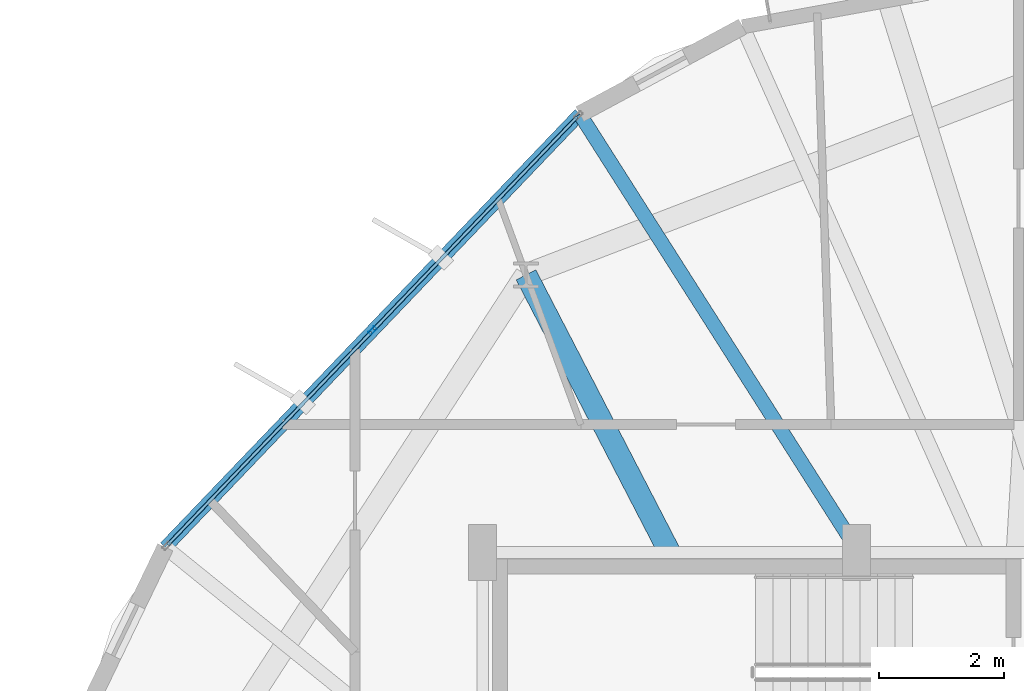
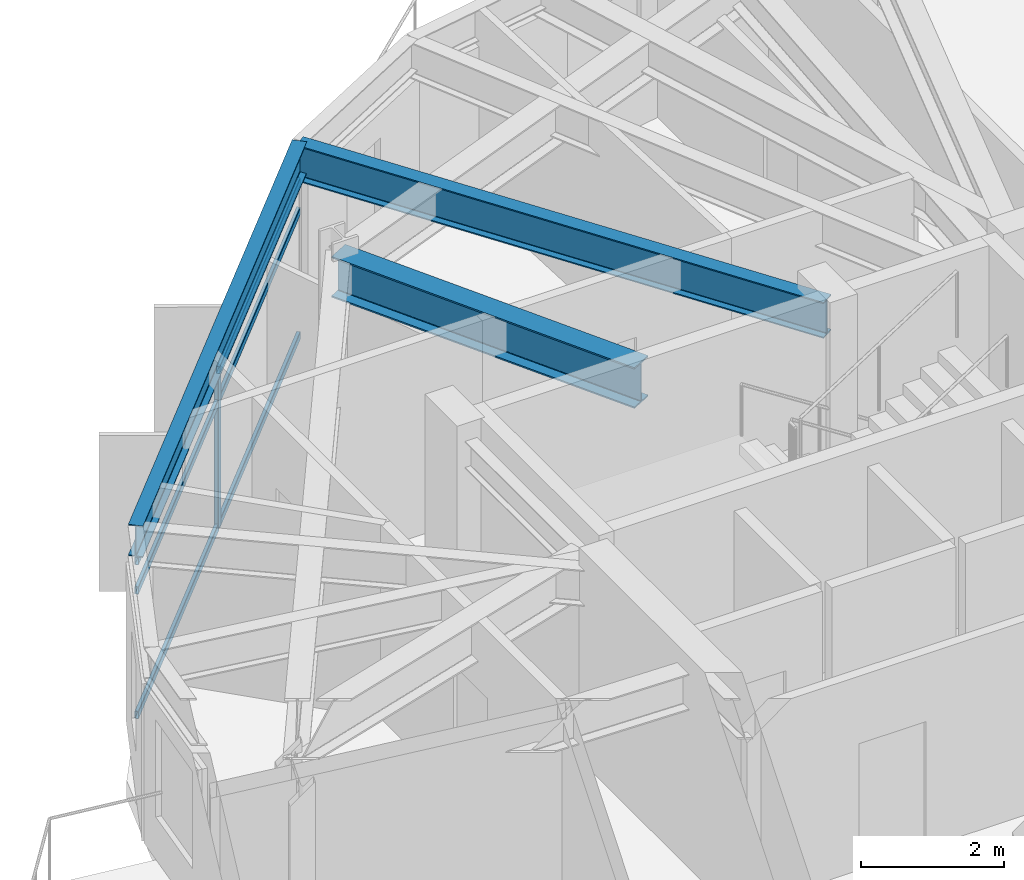
# One storey, part 16 of 27: 7 members, 3 beams, 1 element without a shape of its own.
"""IFC4 building model written with IfcOpenShell, lengths in metres."""

from ifc_helpers import new_model, si_unit, direction, frame, origin, origin_2d, place, context, subcontext, project, spatial, hollow_rectangle, i_section, extrude, material, layer, layer_set, material_profile, profile_set, type_object, element, aggregate, save


model = new_model("IFC4")

# Units and contexts
model_context = context("Model", 3, precision=1e-05, world=origin(), true_north=direction((0.0, 1.0)))
body_context = subcontext(model_context, "Body", "Model", "MODEL_VIEW")
ifc_project = project(units=[si_unit("LENGTHUNIT", "METRE"), si_unit("AREAUNIT", "SQUARE_METRE"), si_unit("VOLUMEUNIT", "CUBIC_METRE"), si_unit("PLANEANGLEUNIT", "RADIAN"), si_unit("MASSUNIT", "GRAM", prefix="KILO")], contexts=[model_context])

# Site, building, storey
site_placement = place(None, origin())
site = spatial("IfcSite", under=ifc_project, at=site_placement, CompositionType="ELEMENT")
building_placement = place(site_placement, origin())
building = spatial("IfcBuilding", under=site, at=building_placement, Name="Soratama Intermodal Tower", CompositionType="ELEMENT")
storey_placement = place(building_placement, frame((0.0, 0.0, 208.60009765625)))
storey = spatial("IfcBuildingStorey", under=building, at=storey_placement, Name="L52", CompositionType="ELEMENT", Elevation=208.60009765625)

# Beams
ifc_material_1 = material(Name="Structural steel ASTM A992 Grade 50", Category="steel")
ifc_material_profile_1 = material_profile(ifc_material_1, i_section(OverallWidth=0.35498046875, OverallDepth=0.695068359375, WebThickness=0.015380859375, FlangeThickness=0.02490234375, FilletRadius=0.01611328125, at=origin_2d()), Name="W27X146")
ifc_profile_set_1 = profile_set([ifc_material_profile_1], Name="Structural steel ASTM A992 Grade 50")
beam_type_1 = type_object("IfcBeamType", Name="BM-RING-W27X146", PredefinedType="BEAM", material=ifc_profile_set_1)
beam_1_placement = place(storey_placement, frame((35.60009765625, 35.0, 2.952392578125), z_axis=(-0.459552673174, 0.888150516849, 0.0), x_axis=(-0.888150516849, -0.459552673174, 0.0)))
element("IfcBeam", 1, at=beam_1_placement, inside=storey, type_object=beam_type_1, Name="BM-L52-RAD-04", PredefinedType="BEAM", context=body_context, shape_type="SweptSolid", body=[
    extrude(i_section(OverallWidth=0.35498046875, OverallDepth=0.695068359375, WebThickness=0.015380859375, FlangeThickness=0.02490234375, FilletRadius=0.01611328125, at=origin_2d()), origin(), (0.0, 0.0, 1.0), 5.01611328125),
])
ifc_material_2 = material(Name="Structural steel ASTM A992 Grade 50", Category="steel")
ifc_material_profile_2 = material_profile(ifc_material_2, i_section(OverallWidth=0.2099609375, OverallDepth=0.537109375, WebThickness=0.010986328125, FlangeThickness=0.017333984375, FilletRadius=0.012939453125, at=origin_2d()), Name="W21X68")
ifc_profile_set_2 = profile_set([ifc_material_profile_2], Name="Structural steel ASTM A992 Grade 50")
beam_type_2 = type_object("IfcBeamType", Name="BM-SPN-W21X68", PredefinedType="SPANDREL", material=ifc_profile_set_2)
beam_2_placement = place(storey_placement, frame((34.158935546875, 42.034912109375, 3.031494140625), z_axis=(-0.691360282894, -0.722510179331, 0.0), x_axis=(0.722510179331, -0.691360282894, 0.0)))
element("IfcBeam", 2, at=beam_2_placement, inside=storey, type_object=beam_type_2, Name="BS-L52-F03", PredefinedType="SPANDREL", context=body_context, shape_type="SweptSolid", body=[
    extrude(i_section(OverallWidth=0.2099609375, OverallDepth=0.537109375, WebThickness=0.010986328125, FlangeThickness=0.017333984375, FilletRadius=0.012939453125, at=origin_2d()), origin(), (0.0, 0.0, 1.0), 9.62451171875),
])
ifc_material_3 = material(Name="Structural steel ASTM A992 Grade 50", Category="steel")
ifc_material_profile_3 = material_profile(ifc_material_3, i_section(OverallWidth=0.22900390625, OverallDepth=0.612060546875, WebThickness=0.011962890625, FlangeThickness=0.01953125, FilletRadius=0.012939453125, at=origin_2d()), Name="W24X84")
ifc_profile_set_3 = profile_set([ifc_material_profile_3], Name="Structural steel ASTM A992 Grade 50")
beam_type_3 = type_object("IfcBeamType", Name="BM-TIE-W24X84", PredefinedType="BEAM", material=ifc_profile_set_3)
beam_3_placement = place(storey_placement, frame((38.614990234375, 35.033935546875, 2.993896484375), z_axis=(-0.53695163274, 0.843613029829, 0.0), x_axis=(-0.843613029829, -0.53695163274, 0.0)))
element("IfcBeam", 3, at=beam_3_placement, inside=storey, type_object=beam_type_3, Name="BM-L52-TIE0-03", PredefinedType="BEAM", context=body_context, shape_type="SweptSolid", body=[
    extrude(i_section(OverallWidth=0.22900390625, OverallDepth=0.612060546875, WebThickness=0.011962890625, FlangeThickness=0.01953125, FilletRadius=0.012939453125, at=origin_2d()), origin(), (0.0, 0.0, 1.0), 8.298828125),
])

# Curtain wall, members
ifc_material_4 = material(Name="Double-glazed aluminium curtain wall", Category="aluminium")
ifc_layer = layer(ifc_material_4, 0.159912109375)
ifc_layer_set = layer_set([ifc_layer], Name="Double-glazed aluminium curtain wall")
curtain_wall_type = type_object("IfcCurtainWallType", Name="CW-SYS-5", PredefinedType="NOTDEFINED", material=ifc_layer_set)
curtain_wall_placement = place(storey_placement, origin())
curtain_wall = element("IfcCurtainWall", 4, at=curtain_wall_placement, inside=storey, type_object=curtain_wall_type, Name="L52 Faceted Curtain Wall F03", PredefinedType="NOTDEFINED")
ifc_material_5 = material(Name="Anodised aluminium AA 6063-T6", Category="aluminium")
ifc_material_profile_4 = material_profile(ifc_material_5, hollow_rectangle(XDim=0.06494140625, YDim=0.139892578125, WallThickness=0.0048828125, InnerFilletRadius=0.0048828125, OuterFilletRadius=0.010009765625, at=origin_2d()), Name="CWM140X65X5")
ifc_profile_set_4 = profile_set([ifc_material_profile_4], Name="Anodised aluminium AA 6063-T6")
member_type_1 = type_object("IfcMemberType", Name="MT-CWM-5", PredefinedType="MULLION", material=ifc_profile_set_4)
member_1_placement = place(storey_placement, frame((30.83203125, 38.55810546875, 0.0), z_axis=(0.0, 0.0, 1.0), x_axis=(0.72248523177, -0.691386353549, 0.0)))
member_1 = element("IfcMember", 5, at=member_1_placement, type_object=member_type_1, Name="CW-5 mullion 2", PredefinedType="MULLION", context=body_context, shape_type="SweptSolid", body=[
    extrude(hollow_rectangle(XDim=0.06494140625, YDim=0.139892578125, WallThickness=0.0048828125, InnerFilletRadius=0.0048828125, OuterFilletRadius=0.010009765625, at=origin_2d()), origin(), (0.0, 0.0, 1.0), 2.678955078125),
])
ifc_material_6 = material(Name="Anodised aluminium AA 6063-T6", Category="aluminium")
ifc_material_profile_5 = material_profile(ifc_material_6, hollow_rectangle(XDim=0.06005859375, YDim=0.1298828125, WallThickness=0.0048828125, InnerFilletRadius=0.0048828125, OuterFilletRadius=0.010009765625, at=origin_2d()), Name="CWT130X60X5")
ifc_profile_set_5 = profile_set([ifc_material_profile_5], Name="Anodised aluminium AA 6063-T6")
member_type_2 = type_object("IfcMemberType", Name="TT-CWT-2", PredefinedType="USERDEFINED", material=ifc_profile_set_5)
member_2_placement = place(storey_placement, frame((34.11767578125, 41.991455078125, 0.02978515625), z_axis=(-0.691399879071, -0.722472288203, 0.0), x_axis=(0.722472288203, -0.691399879071, 0.0)))
member_2 = element("IfcMember", 6, at=member_2_placement, type_object=member_type_2, Name="CW-5 transom 1.1", ObjectType="TRANSOM", PredefinedType="USERDEFINED", context=body_context, shape_type="SweptSolid", body=[
    extrude(hollow_rectangle(XDim=0.06005859375, YDim=0.1298828125, WallThickness=0.0048828125, InnerFilletRadius=0.0048828125, OuterFilletRadius=0.010009765625, at=origin_2d()), origin(), (0.0, 0.0, 1.0), 4.72216796875),
])
member_3_placement = place(storey_placement, frame((34.11767578125, 41.991455078125, 2.14990234375), z_axis=(-0.691399879071, -0.722472288203, 0.0), x_axis=(0.722472288203, -0.691399879071, 0.0)))
member_3 = element("IfcMember", 7, at=member_3_placement, type_object=member_type_2, Name="CW-5 transom 1.2", ObjectType="TRANSOM", PredefinedType="USERDEFINED", context=body_context, shape_type="SweptSolid", body=[
    extrude(hollow_rectangle(XDim=0.06005859375, YDim=0.1298828125, WallThickness=0.0048828125, InnerFilletRadius=0.0048828125, OuterFilletRadius=0.010009765625, at=origin_2d()), origin(), (0.0, 0.0, 1.0), 4.72216796875),
])
member_4_placement = place(storey_placement, frame((34.11767578125, 41.991455078125, 2.64892578125), z_axis=(-0.691399879071, -0.722472288203, 0.0), x_axis=(0.722472288203, -0.691399879071, 0.0)))
member_4 = element("IfcMember", 8, at=member_4_placement, type_object=member_type_2, Name="CW-5 transom 1.3", ObjectType="TRANSOM", PredefinedType="USERDEFINED", context=body_context, shape_type="SweptSolid", body=[
    extrude(hollow_rectangle(XDim=0.06005859375, YDim=0.1298828125, WallThickness=0.0048828125, InnerFilletRadius=0.0048828125, OuterFilletRadius=0.010009765625, at=origin_2d()), origin(), (0.0, 0.0, 1.0), 4.72216796875),
])
member_5_placement = place(storey_placement, frame((30.811279296875, 38.536376953125, 0.02978515625), z_axis=(-0.691372891355, -0.722498114253, 0.0), x_axis=(0.722498114253, -0.691372891355, 0.0)))
member_5 = element("IfcMember", 9, at=member_5_placement, type_object=member_type_2, Name="CW-5 transom 2.1", ObjectType="TRANSOM", PredefinedType="USERDEFINED", context=body_context, shape_type="SweptSolid", body=[
    extrude(hollow_rectangle(XDim=0.06005859375, YDim=0.1298828125, WallThickness=0.0048828125, InnerFilletRadius=0.0048828125, OuterFilletRadius=0.010009765625, at=origin_2d()), origin(), (0.0, 0.0, 1.0), 4.721923828125),
])
member_6_placement = place(storey_placement, frame((30.811279296875, 38.536376953125, 2.14990234375), z_axis=(-0.691372891355, -0.722498114253, 0.0), x_axis=(0.722498114253, -0.691372891355, 0.0)))
member_6 = element("IfcMember", 10, at=member_6_placement, type_object=member_type_2, Name="CW-5 transom 2.2", ObjectType="TRANSOM", PredefinedType="USERDEFINED", context=body_context, shape_type="SweptSolid", body=[
    extrude(hollow_rectangle(XDim=0.06005859375, YDim=0.1298828125, WallThickness=0.0048828125, InnerFilletRadius=0.0048828125, OuterFilletRadius=0.010009765625, at=origin_2d()), origin(), (0.0, 0.0, 1.0), 4.721923828125),
])
member_7_placement = place(storey_placement, frame((30.811279296875, 38.536376953125, 2.64892578125), z_axis=(-0.691372891355, -0.722498114253, 0.0), x_axis=(0.722498114253, -0.691372891355, 0.0)))
member_7 = element("IfcMember", 11, at=member_7_placement, type_object=member_type_2, Name="CW-5 transom 2.3", ObjectType="TRANSOM", PredefinedType="USERDEFINED", context=body_context, shape_type="SweptSolid", body=[
    extrude(hollow_rectangle(XDim=0.06005859375, YDim=0.1298828125, WallThickness=0.0048828125, InnerFilletRadius=0.0048828125, OuterFilletRadius=0.010009765625, at=origin_2d()), origin(), (0.0, 0.0, 1.0), 4.721923828125),
])
aggregate(curtain_wall, [member_1, member_2, member_3, member_4, member_5, member_6, member_7])

save(model, "model.ifc")
